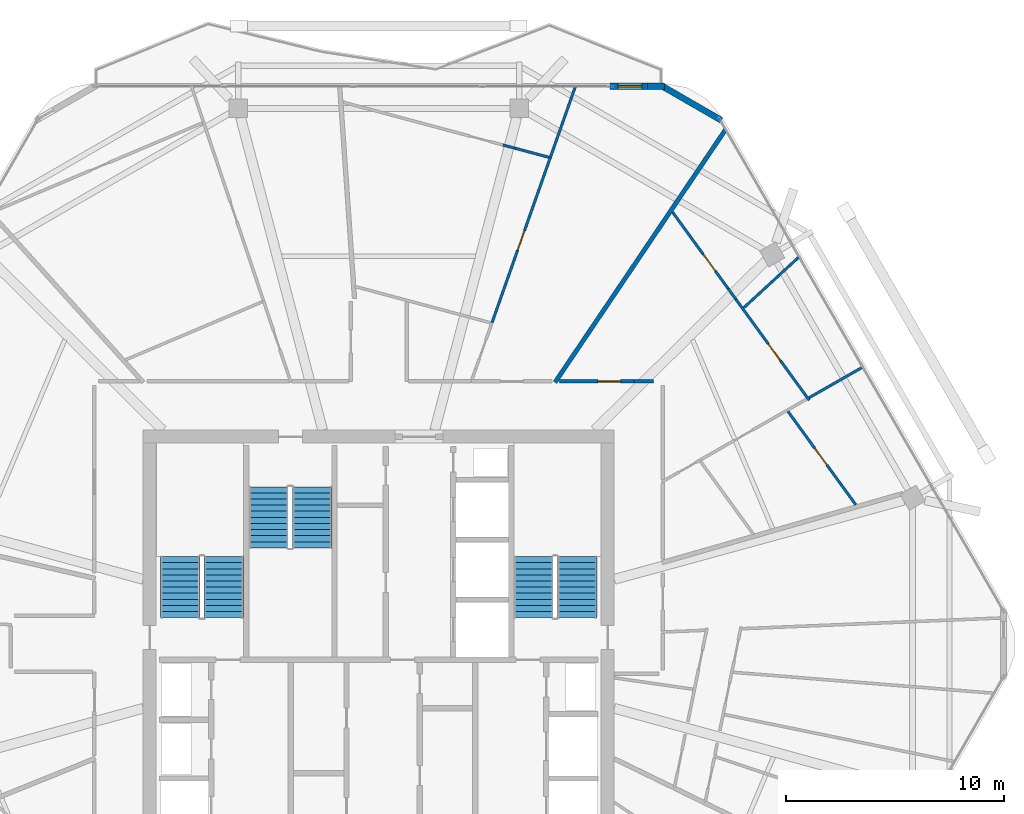
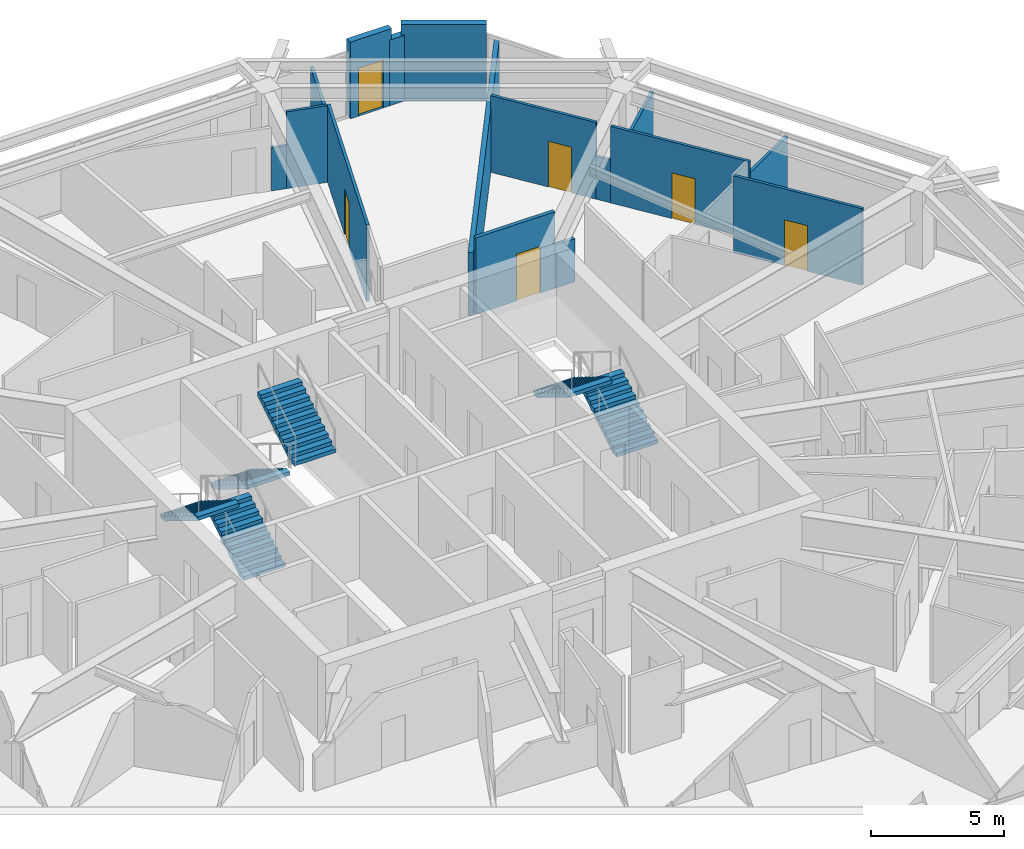
# One storey, part 24 of 26: 16 walls, 6 doors, 6 stair flights, 6 openings, 3 elements without a shape of their own.
"""IFC4 building model written with IfcOpenShell, lengths in metres."""

from ifc_helpers import new_model, si_unit, direction, frame, frame_2d, origin, place, context, subcontext, project, spatial, polyline, rectangle, outline, extrude, material, layer, layer_set, type_object, element, fill, aggregate, save


model = new_model("IFC4")

# Units and contexts
model_context = context("Model", 3, precision=1e-05, world=origin(), true_north=direction((0.0, 1.0)))
body_context = subcontext(model_context, "Body", "Model", "MODEL_VIEW")
ifc_project = project(units=[si_unit("LENGTHUNIT", "METRE"), si_unit("AREAUNIT", "SQUARE_METRE"), si_unit("VOLUMEUNIT", "CUBIC_METRE"), si_unit("PLANEANGLEUNIT", "RADIAN"), si_unit("MASSUNIT", "GRAM", prefix="KILO")], contexts=[model_context])

# Site, building, storey
site_placement = place(None, origin())
site = spatial("IfcSite", under=ifc_project, at=site_placement, CompositionType="ELEMENT")
building_placement = place(site_placement, origin())
building = spatial("IfcBuilding", under=site, at=building_placement, Name="Zuhravey Tower", CompositionType="ELEMENT")
storey_placement = place(building_placement, frame((0.0, 0.0, 299.60009765625)))
storey = spatial("IfcBuildingStorey", under=building, at=storey_placement, Name="L76", CompositionType="ELEMENT", Elevation=299.60009765625)

# Wall, opening, door
ifc_material_1 = material(Name="Gypsum fire-rated stud partition")
ifc_layer_1 = layer(ifc_material_1, 0.159912109375)
ifc_layer_set_1 = layer_set([ifc_layer_1], Name="Gypsum fire-rated stud partition")
wall_type_1 = type_object("IfcWallType", Name="Corridor Fire Partition 160", PredefinedType="PARTITIONING", material=ifc_layer_set_1)
wall_1_placement = place(storey_placement, frame((47.715087890625, 44.030029296875, 0.0), z_axis=(0.0, 0.0, 1.0), x_axis=(-1.0, 0.0, 0.0)))
wall_1 = element("IfcWall", 1, at=wall_1_placement, inside=storey, type_object=wall_type_1, Name="L76 IW16 Partition 051", PredefinedType="PARTITIONING", context=body_context, shape_type="SweptSolid", body=[
    extrude(rectangle(XDim=3.4228515625, YDim=0.159912109375, at=frame_2d((1.71142578125, 0.0))), origin(), (0.0, 0.0, 1.0), 3.52001953125),
])
opening_1_placement = place(wall_1_placement, frame((0.618896484375, 0.0, 0.0)))
opening_1 = element("IfcOpeningElement", 2, at=opening_1_placement, cuts=wall_1, Name="Opening APD1", PredefinedType="OPENING", context=body_context, shape_type="SweptSolid", body=[
    extrude(rectangle(XDim=1.050048828125, YDim=2.14990234375, at=frame_2d((0.52490234375, 1.074951171875))), frame((0.0, 0.092041015625, 0.0), z_axis=(0.0, -1.0, 0.0), x_axis=(1.0, 0.0, 0.0)), (0.0, 0.0, 1.0), 0.183837890625),
])
ifc_material_2 = material(Name="Solid-core oak fire-rated leaf")
door_type_1 = type_object("IfcDoorType", Name="Apartment Entrance Fire Door 1050x2150", OperationType="NOTDEFINED", PredefinedType="DOOR", material=ifc_material_2)
door_1_placement = place(opening_1_placement, frame((1.050048828125, 0.0, 0.0), z_axis=(0.0, 0.0, 1.0), x_axis=(-1.0, 0.0, 0.0)))
door_1 = element("IfcDoor", 3, at=door_1_placement, inside=storey, type_object=door_type_1, Name="L76 Door 051.1", OperationType="SINGLE_SWING_RIGHT", OverallHeight=2.14990234375, OverallWidth=1.050048828125, PredefinedType="DOOR", context=body_context, shape_type="SweptSolid", body=[
    extrude(rectangle(XDim=1.050048828125, YDim=2.14990234375, at=frame_2d((0.52490234375, 1.074951171875))), frame((0.0, 0.02490234375, 0.0), z_axis=(0.0, -1.0, 0.0), x_axis=(1.0, 0.0, 0.0)), (0.0, 0.0, 1.0), 0.050048828125),
])
fill(opening_1, door_1)

# Wall
wall_2_placement = place(storey_placement, frame((48.599365234375, 44.030029296875, 0.0), z_axis=(0.0, 0.0, 1.0), x_axis=(-1.0, 0.0, 0.0)))
element("IfcWall", 4, at=wall_2_placement, inside=storey, type_object=wall_type_1, Name="L76 IW16 Partition 107", PredefinedType="PARTITIONING", context=body_context, shape_type="SweptSolid", body=[
    extrude(rectangle(XDim=0.88427734375, YDim=0.159912109375, at=frame_2d((0.442138671875, 0.0))), origin(), (0.0, 0.0, 1.0), 1.969970703125),
])

# Wall, opening, door
ifc_material_3 = material(Name="Precast concrete C40/50", Category="concrete")
ifc_layer_2 = layer(ifc_material_3, 0.280029296875)
ifc_layer_set_2 = layer_set([ifc_layer_2], Name="Precast concrete C40/50")
wall_type_2 = type_object("IfcWallType", Name="Crown Architectural Wall 280", PredefinedType="SOLIDWALL", material=ifc_layer_set_2)
wall_3_placement = place(storey_placement, frame((46.61767578125, 57.563720703125, 0.0), z_axis=(0.0, 0.0, 1.0), x_axis=(1.0, 0.0, 0.0)))
wall_3 = element("IfcWall", 5, at=wall_3_placement, inside=storey, type_object=wall_type_2, Name="L76 Face 2 Facade Pier EW28-1", PredefinedType="SOLIDWALL", context=body_context, shape_type="SweptSolid", body=[
    extrude(rectangle(XDim=1.7900390625, YDim=0.280029296875, at=frame_2d((0.89501953125, 0.0))), origin(), (0.0, 0.0, 1.0), 3.52001953125),
])
opening_2_placement = place(wall_3_placement, frame((0.344970703125, 0.0, 0.0)))
opening_2 = element("IfcOpeningElement", 6, at=opening_2_placement, cuts=wall_3, Name="Opening BLD1", PredefinedType="OPENING", context=body_context, shape_type="SweptSolid", body=[
    extrude(rectangle(XDim=1.10009765625, YDim=2.199951171875, at=frame_2d((0.550048828125, 1.10009765625))), frame((0.0, 0.152099609375, 0.0), z_axis=(0.0, -1.0, 0.0), x_axis=(1.0, 0.0, 0.0)), (0.0, 0.0, 1.0), 0.303955078125),
])
ifc_material_4 = material(Name="Thermally broken aluminium and low-E glass", Category="aluminium")
door_type_2 = type_object("IfcDoorType", Name="Balcony & Sky-Tray Glazed Door 1100x2200", OperationType="NOTDEFINED", PredefinedType="DOOR", material=ifc_material_4)
door_2_placement = place(opening_2_placement, frame((1.10009765625, 0.0, 0.0), z_axis=(0.0, 0.0, 1.0), x_axis=(-1.0, 0.0, 0.0)))
door_2 = element("IfcDoor", 7, at=door_2_placement, inside=storey, type_object=door_type_2, Name="L76 Face 2 Wave Balcony Door", OperationType="SINGLE_SWING_RIGHT", OverallHeight=2.199951171875, OverallWidth=1.10009765625, PredefinedType="DOOR", context=body_context, shape_type="SweptSolid", body=[
    extrude(rectangle(XDim=1.10009765625, YDim=2.199951171875, at=frame_2d((0.550048828125, 1.10009765625))), frame((0.0, 0.02490234375, 0.0), z_axis=(0.0, -1.0, 0.0), x_axis=(1.0, 0.0, 0.0)), (0.0, 0.0, 1.0), 0.050048828125),
])
fill(opening_2, door_2)

# Walls
wall_4_placement = place(storey_placement, frame((48.317626953125, 57.563720703125, 0.0), z_axis=(0.0, 0.0, 1.0), x_axis=(1.0, 0.0, 0.0)))
element("IfcWall", 8, at=wall_4_placement, inside=storey, type_object=wall_type_2, Name="L76 Face 2 Closure Pier EW28", PredefinedType="SOLIDWALL", context=body_context, shape_type="SweptSolid", body=[
    extrude(rectangle(XDim=0.7900390625, YDim=0.280029296875, at=frame_2d((0.39501953125, 0.0))), origin(), (0.0, 0.0, 1.0), 3.02001953125),
])
wall_5_placement = place(storey_placement, frame((48.930419921875, 57.611083984375, 0.0), z_axis=(0.0, 0.0, 1.0), x_axis=(0.866028773314, -0.499994163758, 0.0)))
element("IfcWall", 9, at=wall_5_placement, inside=storey, type_object=wall_type_2, Name="L76 Rounded Corner Closure Wall EW28-10", PredefinedType="SOLIDWALL", context=body_context, shape_type="SweptSolid", body=[
    extrude(rectangle(XDim=3.21484375, YDim=0.280029296875, at=frame_2d((1.607421875, 0.0))), origin(), (0.0, 0.0, 1.0), 3.52001953125),
])
ifc_material_5 = material(Name="Gypsum double-stud party assembly")
ifc_layer_3 = layer(ifc_material_5, 0.199951171875)
ifc_layer_set_3 = layer_set([ifc_layer_3], Name="Gypsum double-stud party assembly")
wall_type_3 = type_object("IfcWallType", Name="Inter-Tenancy Party Wall 200", PredefinedType="PARTITIONING", material=ifc_layer_set_3)
wall_6_placement = place(storey_placement, frame((44.08740234375, 43.989990234375, 0.0), z_axis=(0.0, 0.0, 1.0), x_axis=(0.559185775918, 0.829042380106, 0.0)))
element("IfcWall", 10, at=wall_6_placement, inside=storey, type_object=wall_type_3, Name="L76 IW20 Partition 108", PredefinedType="PARTITIONING", context=body_context, shape_type="SweptSolid", body=[
    extrude(rectangle(XDim=13.9794921875, YDim=0.199951171875, at=frame_2d((6.98974609375, 0.0))), origin(), (0.0, 0.0, 1.0), 2.89990234375),
])

# Wall, opening, door
ifc_material_6 = material(Name="Gypsum metal-stud partition")
ifc_layer_4 = layer(ifc_material_6, 0.1201171875)
ifc_layer_set_4 = layer_set([ifc_layer_4], Name="Gypsum metal-stud partition")
wall_type_4 = type_object("IfcWallType", Name="Unit Internal Partition 120", PredefinedType="PARTITIONING", material=ifc_layer_set_4)
wall_7_placement = place(storey_placement, frame((55.739990234375, 43.171630859375, 0.0), z_axis=(0.0, 0.0, 1.0), x_axis=(-0.587792986504, 0.809011375085, 0.0)))
wall_7 = element("IfcWall", 11, at=wall_7_placement, inside=storey, type_object=wall_type_4, Name="L76 IW12 Partition 046", PredefinedType="PARTITIONING", context=body_context, shape_type="SweptSolid", body=[
    extrude(rectangle(XDim=5.71240234375, YDim=0.1201171875, at=frame_2d((2.856201171875, 0.0))), origin(), (0.0, 0.0, 1.0), 3.52001953125),
])
opening_3_placement = place(wall_7_placement, frame((2.238037109375, 0.0, 0.0)))
opening_3 = element("IfcOpeningElement", 12, at=opening_3_placement, cuts=wall_7, Name="Opening IND1", PredefinedType="OPENING", context=body_context, shape_type="SweptSolid", body=[
    extrude(rectangle(XDim=0.949951171875, YDim=2.10009765625, at=frame_2d((0.47509765625, 1.050048828125))), frame((0.0, 0.072021484375, 0.0), z_axis=(0.0, -1.0, 0.0), x_axis=(1.0, 0.0, 0.0)), (0.0, 0.0, 1.0), 0.14404296875),
])
ifc_material_7 = material(Name="Painted engineered timber leaf", Category="wood")
door_type_3 = type_object("IfcDoorType", Name="Internal Room & Bedroom Door 950x2100", OperationType="NOTDEFINED", PredefinedType="DOOR", material=ifc_material_7)
door_3_placement = place(opening_3_placement, frame((0.949951171875, 0.0, 0.0), z_axis=(0.0, 0.0, 1.0), x_axis=(-1.0, 0.0, 0.0)))
door_3 = element("IfcDoor", 13, at=door_3_placement, inside=storey, type_object=door_type_3, Name="Apartment L76-05 Family Study Door", OperationType="SINGLE_SWING_LEFT", OverallHeight=2.10009765625, OverallWidth=0.949951171875, PredefinedType="DOOR", context=body_context, shape_type="SweptSolid", body=[
    extrude(rectangle(XDim=0.949951171875, YDim=2.10009765625, at=frame_2d((0.47509765625, 1.050048828125))), frame((0.0, 0.02490234375, 0.0), z_axis=(0.0, -1.0, 0.0), x_axis=(1.0, 0.0, 0.0)), (0.0, 0.0, 1.0), 0.050048828125),
])
fill(opening_3, door_3)

wall_8_placement = place(storey_placement, frame((52.029052734375, 48.279052734375, 0.0), z_axis=(0.0, 0.0, 1.0), x_axis=(-0.58779352549, 0.80901098348, 0.0)))
wall_8 = element("IfcWall", 14, at=wall_8_placement, inside=storey, type_object=wall_type_4, Name="L76 IW12 Partition 047", PredefinedType="PARTITIONING", context=body_context, shape_type="SweptSolid", body=[
    extrude(rectangle(XDim=4.33837890625, YDim=0.1201171875, at=frame_2d((2.169189453125, 0.0))), origin(), (0.0, 0.0, 1.0), 3.52001953125),
])
opening_4_placement = place(wall_8_placement, frame((1.009765625, 0.0, 0.0)))
opening_4 = element("IfcOpeningElement", 15, at=opening_4_placement, cuts=wall_8, Name="Opening IND1", PredefinedType="OPENING", context=body_context, shape_type="SweptSolid", body=[
    extrude(rectangle(XDim=0.949951171875, YDim=2.10009765625, at=frame_2d((0.47509765625, 1.050048828125))), frame((0.0, 0.072021484375, 0.0), z_axis=(0.0, -1.0, 0.0), x_axis=(1.0, 0.0, 0.0)), (0.0, 0.0, 1.0), 0.14404296875),
])
door_4_placement = place(opening_4_placement, frame((0.949951171875, 0.0, 0.0), z_axis=(0.0, 0.0, 1.0), x_axis=(-1.0, 0.0, 0.0)))
door_4 = element("IfcDoor", 16, at=door_4_placement, inside=storey, type_object=door_type_3, Name="Apartment L76-05 Dining Room Door", OperationType="SINGLE_SWING_RIGHT", OverallHeight=2.10009765625, OverallWidth=0.949951171875, PredefinedType="DOOR", context=body_context, shape_type="SweptSolid", body=[
    extrude(rectangle(XDim=0.949951171875, YDim=2.10009765625, at=frame_2d((0.47509765625, 1.050048828125))), frame((0.0, 0.02490234375, 0.0), z_axis=(0.0, -1.0, 0.0), x_axis=(1.0, 0.0, 0.0)), (0.0, 0.0, 1.0), 0.050048828125),
])
fill(opening_4, door_4)

wall_9_placement = place(storey_placement, frame((57.876708984375, 38.3759765625, 0.0), z_axis=(0.0, 0.0, 1.0), x_axis=(-0.587814715894, 0.808995586996, 0.0)))
wall_9 = element("IfcWall", 17, at=wall_9_placement, inside=storey, type_object=wall_type_4, Name="L76 IW12 Partition 050", PredefinedType="PARTITIONING", context=body_context, shape_type="SweptSolid", body=[
    extrude(rectangle(XDim=5.287109375, YDim=0.1201171875, at=frame_2d((2.6435546875, 0.0))), origin(), (0.0, 0.0, 1.0), 3.52001953125),
])
opening_5_placement = place(wall_9_placement, frame((2.253173828125, 0.0, 0.0)))
opening_5 = element("IfcOpeningElement", 18, at=opening_5_placement, cuts=wall_9, Name="Opening IND1", PredefinedType="OPENING", context=body_context, shape_type="SweptSolid", body=[
    extrude(rectangle(XDim=0.949951171875, YDim=2.10009765625, at=frame_2d((0.47509765625, 1.050048828125))), frame((0.0, 0.072021484375, 0.0), z_axis=(0.0, -1.0, 0.0), x_axis=(1.0, 0.0, 0.0)), (0.0, 0.0, 1.0), 0.14404296875),
])
door_5_placement = place(opening_5_placement, frame((0.949951171875, 0.0, 0.0), z_axis=(0.0, 0.0, 1.0), x_axis=(-1.0, 0.0, 0.0)))
door_5 = element("IfcDoor", 19, at=door_5_placement, inside=storey, type_object=door_type_3, Name="Apartment L76-05 Bedroom 1 Door", OperationType="SINGLE_SWING_LEFT", OverallHeight=2.10009765625, OverallWidth=0.949951171875, PredefinedType="DOOR", context=body_context, shape_type="SweptSolid", body=[
    extrude(rectangle(XDim=0.949951171875, YDim=2.10009765625, at=frame_2d((0.47509765625, 1.050048828125))), frame((0.0, 0.02490234375, 0.0), z_axis=(0.0, -1.0, 0.0), x_axis=(1.0, 0.0, 0.0)), (0.0, 0.0, 1.0), 0.050048828125),
])
fill(opening_5, door_5)

wall_10_placement = place(storey_placement, frame((41.197998046875, 46.727294921875, 0.0), z_axis=(0.0, 0.0, 1.0), x_axis=(0.332809008286, 0.942994254491, 0.0)))
wall_10 = element("IfcWall", 20, at=wall_10_placement, inside=storey, type_object=wall_type_4, Name="L76 IW12 Partition 053", PredefinedType="PARTITIONING", context=body_context, shape_type="SweptSolid", body=[
    extrude(rectangle(XDim=8.046630859375, YDim=0.1201171875, at=frame_2d((4.0234375, 0.0))), origin(), (0.0, 0.0, 1.0), 3.52001953125),
])
opening_6_placement = place(wall_10_placement, frame((3.523193359375, 0.0, 0.0)))
opening_6 = element("IfcOpeningElement", 21, at=opening_6_placement, cuts=wall_10, Name="Opening IND1", PredefinedType="OPENING", context=body_context, shape_type="SweptSolid", body=[
    extrude(rectangle(XDim=0.949951171875, YDim=2.10009765625, at=frame_2d((0.47509765625, 1.050048828125))), frame((0.0, 0.072021484375, 0.0), z_axis=(0.0, -1.0, 0.0), x_axis=(1.0, 0.0, 0.0)), (0.0, 0.0, 1.0), 0.14404296875),
])
door_6_placement = place(opening_6_placement, origin())
door_6 = element("IfcDoor", 22, at=door_6_placement, inside=storey, type_object=door_type_3, Name="Apartment L76-06 Home Office Door", OperationType="SINGLE_SWING_RIGHT", OverallHeight=2.10009765625, OverallWidth=0.949951171875, PredefinedType="DOOR", context=body_context, shape_type="SweptSolid", body=[
    extrude(rectangle(XDim=0.949951171875, YDim=2.10009765625, at=frame_2d((0.47509765625, 1.050048828125))), frame((0.0, 0.02490234375, 0.0), z_axis=(0.0, -1.0, 0.0), x_axis=(1.0, 0.0, 0.0)), (0.0, 0.0, 1.0), 0.050048828125),
])
fill(opening_6, door_6)

# Walls
wall_11_placement = place(storey_placement, frame((52.742919921875, 47.412109375, 0.0), z_axis=(0.0, 0.0, 1.0), x_axis=(0.735754395467, 0.677248454816, 0.0)))
element("IfcWall", 23, at=wall_11_placement, inside=storey, type_object=wall_type_4, Name="L76 IW12 Partition 101", PredefinedType="PARTITIONING", context=body_context, shape_type="SweptSolid", body=[
    extrude(rectangle(XDim=3.471923828125, YDim=0.1201171875, at=frame_2d((1.73583984375, 0.0))), origin(), (0.0, 0.0, 1.0), 2.89990234375),
])
wall_12_placement = place(storey_placement, frame((52.38232421875, 47.79296875, 0.0), z_axis=(0.0, 0.0, 1.0), x_axis=(-0.587905928359, 0.808929304328, 0.0)))
element("IfcWall", 24, at=wall_12_placement, inside=storey, type_object=wall_type_4, Name="L76 IW12 Partition 102", PredefinedType="PARTITIONING", context=body_context, shape_type="SweptSolid", body=[
    extrude(rectangle(XDim=0.600830078125, YDim=0.1201171875, at=frame_2d((0.30029296875, 0.0))), origin(), (0.0, 0.0, 1.0), 1.969970703125),
])
wall_13_placement = place(storey_placement, frame((55.739990234375, 43.287109375, 0.0), z_axis=(0.0, 0.0, 1.0), x_axis=(0.86812100043, 0.496352625271, 0.0)))
element("IfcWall", 25, at=wall_13_placement, inside=storey, type_object=wall_type_4, Name="L76 IW12 Partition 105", PredefinedType="PARTITIONING", context=body_context, shape_type="SweptSolid", body=[
    extrude(rectangle(XDim=2.829833984375, YDim=0.1201171875, at=frame_2d((1.4150390625, 0.0))), origin(), (0.0, 0.0, 1.0), 2.89990234375),
])
wall_14_placement = place(storey_placement, frame((43.8759765625, 54.315185546875, 0.0), z_axis=(0.0, 0.0, 1.0), x_axis=(0.332809008286, 0.942994254491, 0.0)))
element("IfcWall", 26, at=wall_14_placement, inside=storey, type_object=wall_type_4, Name="L76 IW12 Partition 110", PredefinedType="PARTITIONING", context=body_context, shape_type="SweptSolid", body=[
    extrude(rectangle(XDim=3.448486328125, YDim=0.1201171875, at=frame_2d((1.72412109375, 0.0))), origin(), (0.0, 0.0, 1.0), 2.89990234375),
])
wall_15_placement = place(storey_placement, frame((42.26708984375, 54.720458984375, 0.0), z_axis=(0.0, 0.0, 1.0), x_axis=(-0.96589299894, 0.258941527375, 0.0)))
element("IfcWall", 27, at=wall_15_placement, inside=storey, type_object=wall_type_4, Name="L76 IW12 Partition 112", PredefinedType="PARTITIONING", context=body_context, shape_type="SweptSolid", body=[
    extrude(rectangle(XDim=0.593994140625, YDim=0.1201171875, at=frame_2d((0.296875, 0.0))), origin(), (0.0, 0.0, 1.0), 1.969970703125),
])
wall_16_placement = place(storey_placement, frame((43.8017578125, 54.309326171875, 0.0), z_axis=(0.0, 0.0, 1.0), x_axis=(-0.965938449631, 0.258771929554, 0.0)))
element("IfcWall", 28, at=wall_16_placement, inside=storey, type_object=wall_type_4, Name="L76 IW12 Partition 113", PredefinedType="PARTITIONING", context=body_context, shape_type="SweptSolid", body=[
    extrude(rectangle(XDim=1.5888671875, YDim=0.1201171875, at=frame_2d((0.79443359375, 0.0))), origin(), (0.0, 0.0, 1.0), 3.52001953125),
])

# Stair, stair flights
ifc_material_8 = material(Name="Concrete C40/50", Category="concrete")
stair_type = type_object("IfcStairType", Name="Housing Storey Stair Assembly 3800", PredefinedType="HALF_TURN_STAIR", material=ifc_material_8)
stair_1_placement = place(storey_placement, origin())
stair_1 = element("IfcStair", 29, at=stair_1_placement, inside=storey, type_object=stair_type, Name="L76 Core Exit Stair ST1", PredefinedType="HALF_TURN_STAIR")
stair_flight_type = type_object("IfcStairFlightType", Name="Housing Storey Stair Flight 3800", PredefinedType="STRAIGHT", material=ifc_material_8)
stair_flight_1_placement = place(storey_placement, frame((28.89990234375, 33.199951171875, 0.0), z_axis=(0.0, 0.0, 1.0), x_axis=(0.0, 1.0, 0.0)))
stair_flight_1 = element("IfcStairFlight", 30, at=stair_flight_1_placement, type_object=stair_flight_type, Name="ST1 flight 1", NumberOfRisers=11, NumberOfTreads=10, PredefinedType="STRAIGHT", RiserHeight=0.172727273, TreadLength=0.28, context=body_context, shape_type="SweptSolid", body=[
    extrude(outline(polyline([(0.0, 0.0), (0.0, 0.172607421875), (0.280029296875, 0.172607421875), (0.280029296875, 0.345458984375), (0.56005859375, 0.345458984375), (0.56005859375, 0.51806640625), (0.840087890625, 0.51806640625), (0.840087890625, 0.69091796875), (1.1201171875, 0.69091796875), (1.1201171875, 0.863525390625), (1.39990234375, 0.863525390625), (1.39990234375, 1.036376953125), (1.679931640625, 1.036376953125), (1.679931640625, 1.208984375), (1.9599609375, 1.208984375), (1.9599609375, 1.3818359375), (2.239990234375, 1.3818359375), (2.239990234375, 1.554443359375), (2.52001953125, 1.554443359375), (2.52001953125, 1.727294921875), (2.800048828125, 1.727294921875), (2.800048828125, 1.89990234375), (2.800048828125, 1.551025390625), (0.285400390625, 0.0), (0.0, 0.0)])), frame((0.0, 0.89990234375, 0.0), z_axis=(0.0, -1.0, 0.0), x_axis=(1.0, 0.0, 0.0)), (0.0, 0.0, 1.0), 1.800048828125),
])
stair_flight_2_placement = place(storey_placement, frame((26.89990234375, 36.0, 1.89990234375), z_axis=(0.0, 0.0, 1.0), x_axis=(0.0, -1.0, 0.0)))
stair_flight_2 = element("IfcStairFlight", 31, at=stair_flight_2_placement, type_object=stair_flight_type, Name="ST1 flight 2", NumberOfRisers=11, NumberOfTreads=10, PredefinedType="STRAIGHT", RiserHeight=0.172727273, TreadLength=0.28, context=body_context, shape_type="SweptSolid", body=[
    extrude(outline(polyline([(0.0, 0.0), (0.0, 0.172607421875), (0.280029296875, 0.172607421875), (0.280029296875, 0.345458984375), (0.56005859375, 0.345458984375), (0.56005859375, 0.51806640625), (0.840087890625, 0.51806640625), (0.840087890625, 0.69091796875), (1.1201171875, 0.69091796875), (1.1201171875, 0.863525390625), (1.39990234375, 0.863525390625), (1.39990234375, 1.036376953125), (1.679931640625, 1.036376953125), (1.679931640625, 1.208984375), (1.9599609375, 1.208984375), (1.9599609375, 1.3818359375), (2.239990234375, 1.3818359375), (2.239990234375, 1.554443359375), (2.52001953125, 1.554443359375), (2.52001953125, 1.727294921875), (2.800048828125, 1.727294921875), (2.800048828125, 1.89990234375), (2.800048828125, 1.551025390625), (0.285400390625, 0.0), (0.0, 0.0)])), frame((0.0, 0.89990234375, 0.0), z_axis=(0.0, -1.0, 0.0), x_axis=(1.0, 0.0, 0.0)), (0.0, 0.0, 1.0), 1.800048828125),
])
aggregate(stair_1, [stair_flight_1, stair_flight_2])

stair_2_placement = place(storey_placement, origin())
stair_2 = element("IfcStair", 32, at=stair_2_placement, inside=storey, type_object=stair_type, Name="L76 Core Exit Stair ST2", PredefinedType="HALF_TURN_STAIR")
stair_flight_3_placement = place(storey_placement, frame((45.10009765625, 33.199951171875, 0.0), z_axis=(0.0, 0.0, 1.0), x_axis=(0.0, 1.0, 0.0)))
stair_flight_3 = element("IfcStairFlight", 33, at=stair_flight_3_placement, type_object=stair_flight_type, Name="ST2 flight 1", NumberOfRisers=11, NumberOfTreads=10, PredefinedType="STRAIGHT", RiserHeight=0.172727273, TreadLength=0.28, context=body_context, shape_type="SweptSolid", body=[
    extrude(outline(polyline([(0.0, 0.0), (0.0, 0.172607421875), (0.280029296875, 0.172607421875), (0.280029296875, 0.345458984375), (0.56005859375, 0.345458984375), (0.56005859375, 0.51806640625), (0.840087890625, 0.51806640625), (0.840087890625, 0.69091796875), (1.1201171875, 0.69091796875), (1.1201171875, 0.863525390625), (1.39990234375, 0.863525390625), (1.39990234375, 1.036376953125), (1.679931640625, 1.036376953125), (1.679931640625, 1.208984375), (1.9599609375, 1.208984375), (1.9599609375, 1.3818359375), (2.239990234375, 1.3818359375), (2.239990234375, 1.554443359375), (2.52001953125, 1.554443359375), (2.52001953125, 1.727294921875), (2.800048828125, 1.727294921875), (2.800048828125, 1.89990234375), (2.800048828125, 1.551025390625), (0.285400390625, 0.0), (0.0, 0.0)])), frame((0.0, 0.89990234375, 0.0), z_axis=(0.0, -1.0, 0.0), x_axis=(1.0, 0.0, 0.0)), (0.0, 0.0, 1.0), 1.800048828125),
])
stair_flight_4_placement = place(storey_placement, frame((43.10009765625, 36.0, 1.89990234375), z_axis=(0.0, 0.0, 1.0), x_axis=(0.0, -1.0, 0.0)))
stair_flight_4 = element("IfcStairFlight", 34, at=stair_flight_4_placement, type_object=stair_flight_type, Name="ST2 flight 2", NumberOfRisers=11, NumberOfTreads=10, PredefinedType="STRAIGHT", RiserHeight=0.172727273, TreadLength=0.28, context=body_context, shape_type="SweptSolid", body=[
    extrude(outline(polyline([(0.0, 0.0), (0.0, 0.172607421875), (0.280029296875, 0.172607421875), (0.280029296875, 0.345458984375), (0.56005859375, 0.345458984375), (0.56005859375, 0.51806640625), (0.840087890625, 0.51806640625), (0.840087890625, 0.69091796875), (1.1201171875, 0.69091796875), (1.1201171875, 0.863525390625), (1.39990234375, 0.863525390625), (1.39990234375, 1.036376953125), (1.679931640625, 1.036376953125), (1.679931640625, 1.208984375), (1.9599609375, 1.208984375), (1.9599609375, 1.3818359375), (2.239990234375, 1.3818359375), (2.239990234375, 1.554443359375), (2.52001953125, 1.554443359375), (2.52001953125, 1.727294921875), (2.800048828125, 1.727294921875), (2.800048828125, 1.89990234375), (2.800048828125, 1.551025390625), (0.285400390625, 0.0), (0.0, 0.0)])), frame((0.0, 0.89990234375, 0.0), z_axis=(0.0, -1.0, 0.0), x_axis=(1.0, 0.0, 0.0)), (0.0, 0.0, 1.0), 1.800048828125),
])
aggregate(stair_2, [stair_flight_3, stair_flight_4])

stair_3_placement = place(storey_placement, origin())
stair_3 = element("IfcStair", 35, at=stair_3_placement, inside=storey, type_object=stair_type, Name="L76 Core Exit Stair ST3", PredefinedType="HALF_TURN_STAIR")
stair_flight_5_placement = place(storey_placement, frame((30.949951171875, 39.199951171875, 0.0), z_axis=(0.0, 0.0, 1.0), x_axis=(0.0, -1.0, 0.0)))
stair_flight_5 = element("IfcStairFlight", 36, at=stair_flight_5_placement, type_object=stair_flight_type, Name="ST3 flight 1", NumberOfRisers=11, NumberOfTreads=10, PredefinedType="STRAIGHT", RiserHeight=0.172727273, TreadLength=0.28, context=body_context, shape_type="SweptSolid", body=[
    extrude(outline(polyline([(0.0, 0.0), (0.0, 0.172607421875), (0.280029296875, 0.172607421875), (0.280029296875, 0.345458984375), (0.56005859375, 0.345458984375), (0.56005859375, 0.51806640625), (0.840087890625, 0.51806640625), (0.840087890625, 0.69091796875), (1.1201171875, 0.69091796875), (1.1201171875, 0.863525390625), (1.39990234375, 0.863525390625), (1.39990234375, 1.036376953125), (1.679931640625, 1.036376953125), (1.679931640625, 1.208984375), (1.9599609375, 1.208984375), (1.9599609375, 1.3818359375), (2.239990234375, 1.3818359375), (2.239990234375, 1.554443359375), (2.52001953125, 1.554443359375), (2.52001953125, 1.727294921875), (2.800048828125, 1.727294921875), (2.800048828125, 1.89990234375), (2.800048828125, 1.551025390625), (0.285400390625, 0.0), (0.0, 0.0)])), frame((0.0, 0.89990234375, 0.0), z_axis=(0.0, -1.0, 0.0), x_axis=(1.0, 0.0, 0.0)), (0.0, 0.0, 1.0), 1.800048828125),
])
stair_flight_6_placement = place(storey_placement, frame((32.949951171875, 36.39990234375, 1.89990234375), z_axis=(0.0, 0.0, 1.0), x_axis=(0.0, 1.0, 0.0)))
stair_flight_6 = element("IfcStairFlight", 37, at=stair_flight_6_placement, type_object=stair_flight_type, Name="ST3 flight 2", NumberOfRisers=11, NumberOfTreads=10, PredefinedType="STRAIGHT", RiserHeight=0.172727273, TreadLength=0.28, context=body_context, shape_type="SweptSolid", body=[
    extrude(outline(polyline([(0.0, 0.0), (0.0, 0.172607421875), (0.280029296875, 0.172607421875), (0.280029296875, 0.345458984375), (0.56005859375, 0.345458984375), (0.56005859375, 0.51806640625), (0.840087890625, 0.51806640625), (0.840087890625, 0.69091796875), (1.1201171875, 0.69091796875), (1.1201171875, 0.863525390625), (1.39990234375, 0.863525390625), (1.39990234375, 1.036376953125), (1.679931640625, 1.036376953125), (1.679931640625, 1.208984375), (1.9599609375, 1.208984375), (1.9599609375, 1.3818359375), (2.239990234375, 1.3818359375), (2.239990234375, 1.554443359375), (2.52001953125, 1.554443359375), (2.52001953125, 1.727294921875), (2.800048828125, 1.727294921875), (2.800048828125, 1.89990234375), (2.800048828125, 1.551025390625), (0.285400390625, 0.0), (0.0, 0.0)])), frame((0.0, 0.89990234375, 0.0), z_axis=(0.0, -1.0, 0.0), x_axis=(1.0, 0.0, 0.0)), (0.0, 0.0, 1.0), 1.800048828125),
])
aggregate(stair_3, [stair_flight_5, stair_flight_6])

save(model, "model.ifc")
